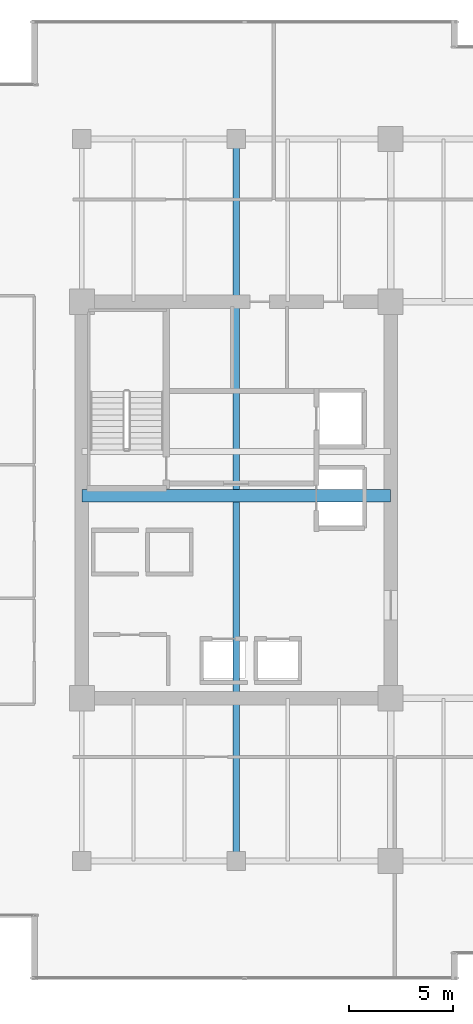
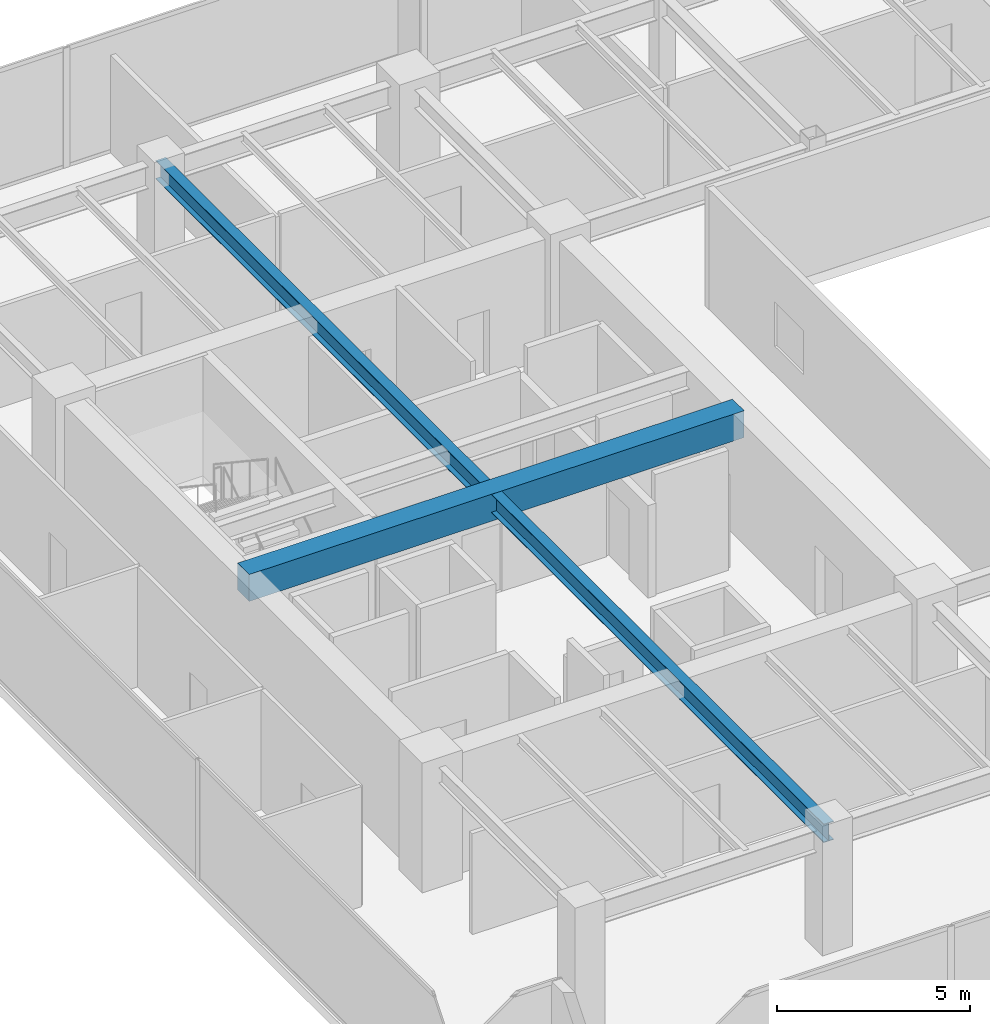
# One storey, part 7 of 31: 2 beams.
"""IFC4 building model written with IfcOpenShell, lengths in metres."""

from ifc_helpers import new_model, si_unit, direction, frame, origin, origin_2d, place, context, subcontext, project, spatial, rectangle, i_section, extrude, source, transform, mapped, material, material_profile, profile_set, type_object, type_shapes, element, save


model = new_model("IFC4")

# Units and contexts
model_context = context("Model", 3, precision=1e-05, world=origin(), true_north=direction((0.0, 1.0)))
body_context = subcontext(model_context, "Body", "Model", "MODEL_VIEW")
ifc_project = project(units=[si_unit("LENGTHUNIT", "METRE"), si_unit("AREAUNIT", "SQUARE_METRE"), si_unit("VOLUMEUNIT", "CUBIC_METRE"), si_unit("PLANEANGLEUNIT", "RADIAN"), si_unit("MASSUNIT", "GRAM", prefix="KILO")], contexts=[model_context])

# Site, building, storey
site_placement = place(None, origin())
site = spatial("IfcSite", under=ifc_project, at=site_placement, CompositionType="ELEMENT")
building_placement = place(site_placement, origin())
building = spatial("IfcBuilding", under=site, at=building_placement, Name="Haelvirn Gate Laboratories", CompositionType="ELEMENT")
storey_placement = place(building_placement, frame((0.0, 0.0, 174.800048828125)))
storey = spatial("IfcBuildingStorey", under=building, at=storey_placement, Name="L42", CompositionType="ELEMENT", Elevation=174.800048828125)

# Beams
ifc_material_1 = material(Name="Steel SM355", Category="steel")
ifc_material_profile_1 = material_profile(ifc_material_1, i_section(OverallWidth=0.300048828125, OverallDepth=0.587890625, WebThickness=0.011962890625, FlangeThickness=0.02001953125, at=origin_2d()), Name="H-588x300x12x20")
ifc_profile_set_1 = profile_set([ifc_material_profile_1], Name="Steel SM355")
beam_type_1 = type_object("IfcBeamType", Name="BM-G-588", PredefinedType="BEAM", material=ifc_profile_set_1)
shared_shape_1 = source(origin(), body_context, "Body", "SweptSolid", [
    extrude(i_section(OverallWidth=0.300048828125, OverallDepth=0.587890625, WebThickness=0.011962890625, FlangeThickness=0.02001953125, at=origin_2d()), origin(), (0.0, 0.0, 1.0), 34.60009765625),
])
type_shapes(beam_type_1, [shared_shape_1])
beam_1_placement = place(storey_placement, frame((14.800048828125, 7.0, 3.495849609375), z_axis=(0.0, 1.0, 0.0), x_axis=(-1.0, 0.0, 0.0)))
element("IfcBeam", 1, at=beam_1_placement, inside=storey, type_object=beam_type_1, Name="L42 Frame Girder X14.8 (7.0-41.6)", PredefinedType="BEAM", context=body_context, shape_type="MappedRepresentation", body=[
    mapped(shared_shape_1, transform((0.0, 0.0, 0.0), scale=1.0)),
])
ifc_material_2 = material(Name="Concrete C50/60", Category="concrete")
ifc_material_profile_2 = material_profile(ifc_material_2, rectangle(XDim=0.60009765625, YDim=0.85009765625, at=origin_2d()), Name="RCB-600x850")
ifc_profile_set_2 = profile_set([ifc_material_profile_2], Name="Concrete C50/60")
beam_type_2 = type_object("IfcBeamType", Name="BM-RCB-850", PredefinedType="LINTEL", material=ifc_profile_set_2)
shared_shape_2 = source(origin(), body_context, "Body", "SweptSolid", [
    extrude(rectangle(XDim=0.60009765625, YDim=0.85009765625, at=origin_2d()), origin(), (0.0, 0.0, 1.0), 14.800048828125),
])
type_shapes(beam_type_2, [shared_shape_2])
beam_2_placement = place(storey_placement, frame((7.39990234375, 24.5, 3.364990234375), z_axis=(1.0, 0.0, 0.0), x_axis=(0.0, 1.0, 0.0)))
element("IfcBeam", 2, at=beam_2_placement, inside=storey, type_object=beam_type_2, Name="L42 West Core Coupling Beam", PredefinedType="LINTEL", context=body_context, shape_type="MappedRepresentation", body=[
    mapped(shared_shape_2, transform((0.0, 0.0, 0.0), scale=1.0)),
])

save(model, "model.ifc")
